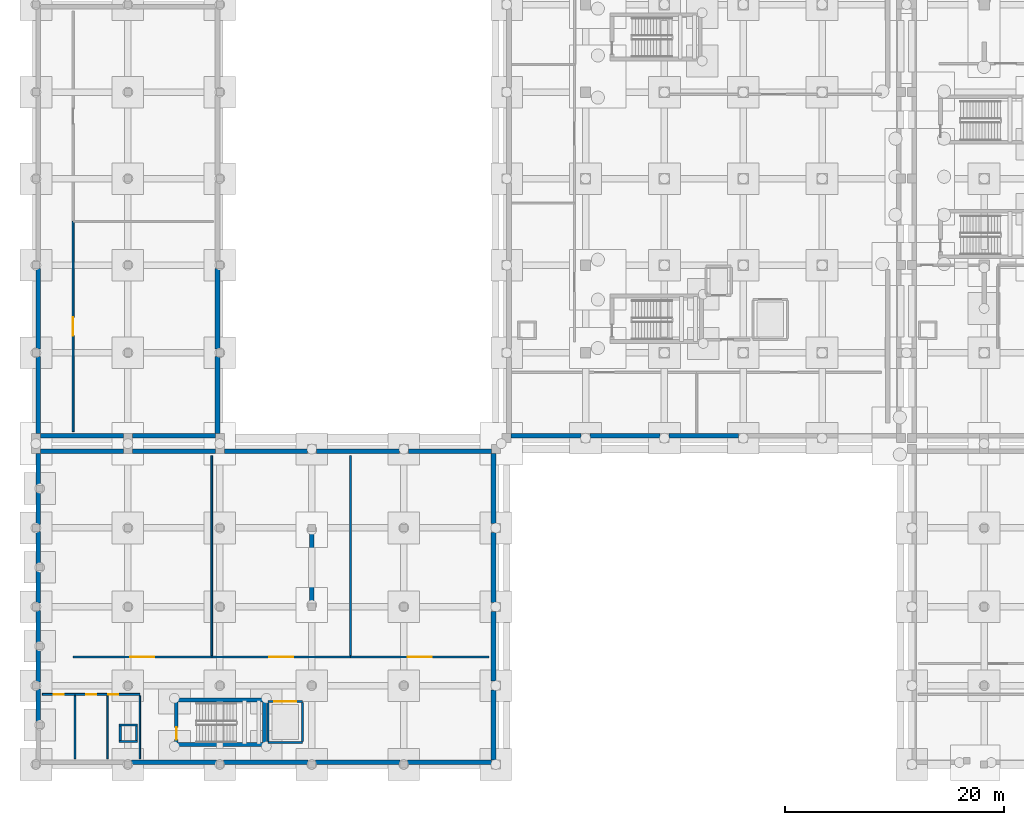
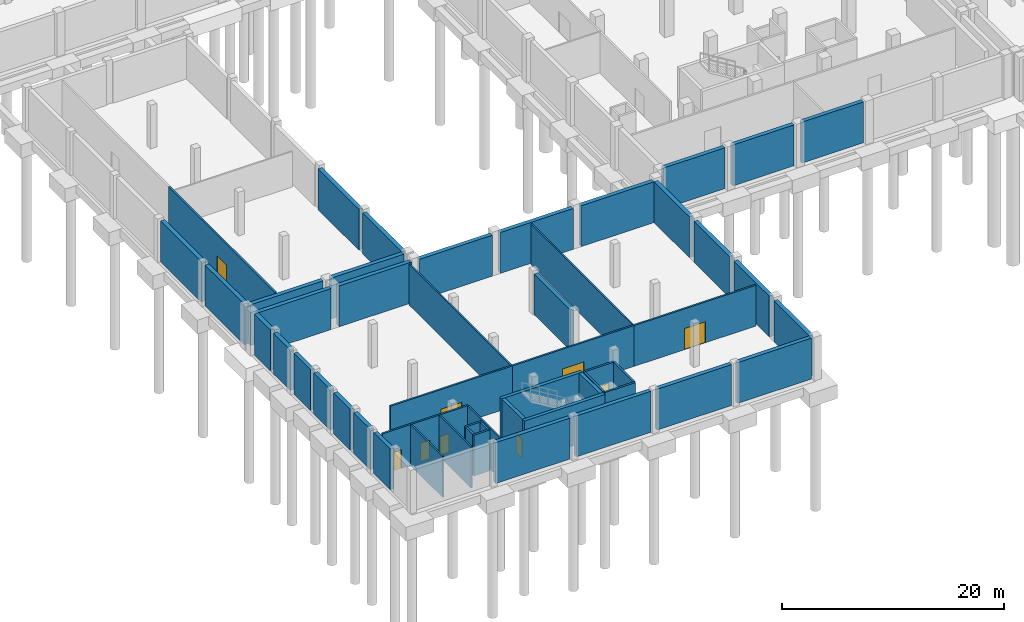
# One storey, part 14 of 29: 54 walls, 9 doors, 9 openings.
"""IFC4 building model written with IfcOpenShell, lengths in metres."""

import ifcopenshell
import ifcopenshell.guid

model = None  # the IFC model being written
_history = None  # IfcOwnerHistory: only IFC2X3 demands one
_inside = {}  # id of a spatial element -> (the spatial element, [elements in it])
_under = {}  # id of a project, library or spatial element -> (it, [spatial elements below it])
_declared = {}  # id of a project -> (the project, [libraries it declares])
_typed = {}  # id of a type object -> (the type object, [elements of that type])
_made_of = {}  # id of a material, layer set ... -> (it, [elements and type objects made of it])


def new_model(schema):
    """Start an empty IFC model of exactly this schema.

    Asked for "IFC4X3", IfcOpenShell would pick the latest addendum, in which some entities
    have other attributes; the version numbers below select the first issue.
    IFC2X3 requires an IfcOwnerHistory on every rooted entity: one is made here for all.
    """
    global model, _history
    if schema == "IFC4X3":
        model = ifcopenshell.file(schema_version=(4, 3, 0, 0))
    else:
        model = ifcopenshell.file(schema=schema)
    _inside.clear()
    _under.clear()
    _declared.clear()
    _typed.clear()
    _made_of.clear()
    _history = None
    if model.schema == "IFC2X3":
        org = make("IfcOrganization", Name="unknown")
        user = make(
            "IfcPersonAndOrganization",
            ThePerson=make("IfcPerson", FamilyName="unknown"),
            TheOrganization=org,
        )
        app = make(
            "IfcApplication",
            ApplicationDeveloper=org,
            Version="unknown",
            ApplicationFullName="unknown",
            ApplicationIdentifier="unknown",
        )
        _history = make(
            "IfcOwnerHistory",
            OwningUser=user,
            OwningApplication=app,
            ChangeAction="ADDED",
            CreationDate=0,
        )
    return model


def make(cls, **values):
    """One entity of the class cls with the attributes given. An attribute that is None is left unset."""
    return model.create_entity(
        cls, **{name: value for name, value in values.items() if value is not None}
    )


def rooted(cls, **values):
    """An entity with a GlobalId (a new one), such as an element, a storey or a relation."""
    return make(cls, GlobalId=ifcopenshell.guid.new(), OwnerHistory=_history, **values)


def si_unit(unit_type, name, prefix=None):
    """IfcSIUnit, for example si_unit("LENGTHUNIT", "METRE", prefix="MILLI")."""
    return make("IfcSIUnit", UnitType=unit_type, Prefix=prefix, Name=name)


def assignment(units):
    """IfcUnitAssignment: the units of a project."""
    return None if units is None else make("IfcUnitAssignment", Units=units)


def point(xyz):
    """IfcCartesianPoint."""
    return None if xyz is None else make("IfcCartesianPoint", Coordinates=xyz)


def direction(xyz):
    """IfcDirection."""
    return None if xyz is None else make("IfcDirection", DirectionRatios=xyz)


def frame(location, z_axis=None, x_axis=None):
    """IfcAxis2Placement3D, a coordinate frame: its origin and axes. An axis left out is left unset."""
    return make(
        "IfcAxis2Placement3D",
        Location=point(location),
        Axis=direction(z_axis),
        RefDirection=direction(x_axis),
    )


def frame_2d(location, x_axis=None):
    """IfcAxis2Placement2D, a coordinate frame in the plane: its origin and x axis."""
    return make(
        "IfcAxis2Placement2D", Location=point(location), RefDirection=direction(x_axis)
    )


def origin():
    """The frame at (0, 0, 0) with its axes left unset."""
    return frame((0.0, 0.0, 0.0))


def place(relative_to, where):
    """IfcLocalPlacement: puts the frame where relative to a parent placement (None: the world)."""
    return make(
        "IfcLocalPlacement", PlacementRelTo=relative_to, RelativePlacement=where
    )


def context(
    kind, dimensions, precision=None, world=None, true_north=None, identifier=None
):
    """IfcGeometricRepresentationContext, for example the 3D "Model" context."""
    return make(
        "IfcGeometricRepresentationContext",
        ContextIdentifier=identifier,
        ContextType=kind,
        CoordinateSpaceDimension=dimensions,
        Precision=precision,
        WorldCoordinateSystem=world,
        TrueNorth=true_north,
    )


def subcontext(parent, identifier, kind, view, scale=None):
    """IfcGeometricRepresentationSubContext, for example "Body" below "Model"."""
    return make(
        "IfcGeometricRepresentationSubContext",
        ContextIdentifier=identifier,
        ContextType=kind,
        ParentContext=parent,
        TargetScale=scale,
        TargetView=view,
    )


def project(units=None, contexts=None):
    """IfcProject with its units and contexts."""
    return rooted(
        "IfcProject",
        Name="project",
        RepresentationContexts=contexts,
        UnitsInContext=assignment(units),
    )


def spatial(cls, under=None, at=None, **own):
    """A site, building, storey or space (cls), placed at a placement, below another one or the project."""
    s = rooted(cls, ObjectPlacement=at, **own)
    if under is not None:
        _under.setdefault(under.id(), (under, []))[1].append(s)
    return s


def profile(cls, at=None, kind="AREA", **sizes):
    """A parametric profile (cls). Its sizes go by their IFC names, for example OverallWidth=200.0."""
    return make(cls, ProfileType=kind, Position=at, **sizes)


def rectangle(**sizes):
    """IfcRectangleProfileDef."""
    return profile("IfcRectangleProfileDef", **sizes)


def extrude(swept, where, along, depth):
    """IfcExtrudedAreaSolid: the profile swept, set in the frame where, extruded along a direction by depth."""
    return make(
        "IfcExtrudedAreaSolid",
        SweptArea=swept,
        Position=where,
        ExtrudedDirection=direction(along),
        Depth=depth,
    )


def shape(context_of_items, identifier, shape_type, items):
    """IfcShapeRepresentation: the items that make up one representation, for example the "Body"."""
    return make(
        "IfcShapeRepresentation",
        ContextOfItems=context_of_items,
        RepresentationIdentifier=identifier,
        RepresentationType=shape_type,
        Items=items,
    )


def material(Name=None, Category=None):
    """IfcMaterial."""
    return make("IfcMaterial", Name=Name, Category=Category)


def layer(
    of_material, thickness, ventilated=None, Name=None, Category=None, Priority=None
):
    """IfcMaterialLayer: one layer of a wall or slab, of a material (None: an air gap)."""
    return make(
        "IfcMaterialLayer",
        Material=of_material,
        LayerThickness=thickness,
        IsVentilated=ventilated,
        Name=Name,
        Category=Category,
        Priority=Priority,
    )


def layer_set(layers, Name=None):
    """IfcMaterialLayerSet."""
    return make("IfcMaterialLayerSet", MaterialLayers=layers, LayerSetName=Name)


def made_of(thing, what):
    """Note that an element or type object is made of a material, layer set ...; save() writes the relation."""
    if what is not None:
        _made_of.setdefault(what.id(), (what, []))[1].append(thing)
    return thing


def type_object(cls, material=None, **own):
    """A type object (cls), such as IfcWallType, which elements share."""
    return made_of(rooted(cls, **own), material)


def element(
    cls,
    number,
    at=None,
    inside=None,
    cuts=None,
    type_object=None,
    material=None,
    context=None,
    identifier="Body",
    shape_type=None,
    held_by="IfcProductDefinitionShape",
    body=None,
    shapes=None,
    **own,
):
    """One element of the class cls, such as IfcWall. Its Tag is "e" and its number.

    at: its placement. inside: the storey or other place that contains it. cuts: it is an
    opening in that element (IfcRelVoidsElement). A single representation is given by context,
    identifier, shape_type and body (its items); several are given by shapes. held_by: the class
    of the entity that holds the representations. save() writes the other relations.
    """
    e = rooted(cls, Tag="e%d" % number, ObjectPlacement=at, **own)
    if body is not None:
        shapes = [shape(context, identifier, shape_type, body)]
    if shapes is not None:
        e.Representation = make(held_by, Representations=shapes)
    if inside is not None:
        _inside.setdefault(inside.id(), (inside, []))[1].append(e)
    if cuts is not None:
        rooted(
            "IfcRelVoidsElement", RelatingBuildingElement=cuts, RelatedOpeningElement=e
        )
    if type_object is not None:
        _typed.setdefault(type_object.id(), (type_object, []))[1].append(e)
    return made_of(e, material)


def fill(opening, filler):
    """IfcRelFillsElement: the door or window that sits in an opening."""
    return rooted(
        "IfcRelFillsElement",
        RelatingOpeningElement=opening,
        RelatedBuildingElement=filler,
    )


def aggregate(whole, parts):
    """IfcRelAggregates: a whole, such as a stair, and the parts it consists of."""
    return rooted("IfcRelAggregates", RelatingObject=whole, RelatedObjects=parts)


def save(model, path):
    """Write the relations noted so far, then the file.

    IfcRelAggregates (storeys below a building ...), IfcRelContainedInSpatialStructure (elements
    in a storey), IfcRelDefinesByType, IfcRelAssociatesMaterial and IfcRelDeclares: one each for
    every whole, place, type object, material and project.
    """
    for whole, parts in _under.values():
        aggregate(whole, parts)
    for where, things in _inside.values():
        rooted(
            "IfcRelContainedInSpatialStructure",
            RelatedElements=things,
            RelatingStructure=where,
        )
    for kind, things in _typed.values():
        rooted("IfcRelDefinesByType", RelatedObjects=things, RelatingType=kind)
    for what, things in _made_of.values():
        rooted("IfcRelAssociatesMaterial", RelatedObjects=things, RelatingMaterial=what)
    for by, libraries in _declared.values():
        rooted("IfcRelDeclares", RelatingContext=by, RelatedDefinitions=libraries)
    model.write(path)


model = new_model("IFC4")

# Units and contexts
model_context = context("Model", 3, precision=1e-05, world=origin(), true_north=direction((0.0, 1.0)))
body_context = subcontext(model_context, "Body", "Model", "MODEL_VIEW")
ifc_project = project(units=[si_unit("LENGTHUNIT", "METRE"), si_unit("AREAUNIT", "SQUARE_METRE"), si_unit("VOLUMEUNIT", "CUBIC_METRE"), si_unit("PLANEANGLEUNIT", "RADIAN"), si_unit("MASSUNIT", "GRAM", prefix="KILO")], contexts=[model_context])

# Site, building, storey
site_placement = place(None, origin())
site = spatial("IfcSite", under=ifc_project, at=site_placement, CompositionType="ELEMENT")
building_placement = place(site_placement, origin())
building = spatial("IfcBuilding", under=site, at=building_placement, Name="Kelarvand Opera House", CompositionType="ELEMENT")
storey_placement = place(building_placement, frame((0.0, 0.0, -9.60009765625)))
storey = spatial("IfcBuildingStorey", under=building, at=storey_placement, Name="B2", CompositionType="ELEMENT", Elevation=-9.60009765625)

# Walls
ifc_material_1 = material(Name="Acoustic double-stud gypsum partition")
ifc_layer_1 = layer(ifc_material_1, 0.14990234375, Name="Acoustic double-stud gypsum partition")
ifc_layer_set_1 = layer_set([ifc_layer_1], Name="Acoustic double-stud gypsum partition")
wall_type_1 = type_object("IfcWallType", Name="Acoustic Room Partition Wall 150", PredefinedType="PARTITIONING", material=ifc_layer_set_1)
for number, where, z_axis, x_axis, name in (
    (1, (25.06689453125, 18.93994140625, 0.0), (0.0, 0.0, 1.0), (0.0, 1.0, 0.0), "V4 B2 Partition Wall IW-150 (78)"),
    (2, (37.73291015625, 18.93994140625, 0.0), (0.0, 0.0, 1.0), (0.0, 1.0, 0.0), "V4 B2 Partition Wall IW-150 (80)"),
):
    element("IfcWall", number, at=place(storey_placement, frame(where, z_axis=z_axis, x_axis=x_axis)), inside=storey, type_object=wall_type_1, Name=name, PredefinedType="PARTITIONING", context=body_context, shape_type="SweptSolid", body=[
        extrude(rectangle(XDim=18.260009765625, YDim=0.14990234375, at=frame_2d((9.1298828125, 0.0))), origin(), (0.0, 0.0, 1.0), 4.4921875),
    ])
for number, where, z_axis, x_axis, name in (
    (3, (12.56689453125, 9.5, 0.0), (0.0, 0.0, 1.0), (0.0, 1.0, 0.0), "V4 B2 Partition Wall IW-150 (83)"),
    (4, (15.532958984375, 9.5, 0.0), (0.0, 0.0, 1.0), (0.0, 1.0, 0.0), "V4 B2 Partition Wall IW-150 (85)"),
    (5, (18.5, 9.5, 0.0), (0.0, 0.0, 1.0), (0.0, 1.0, 0.0), "V4 B2 Partition Wall IW-150 (86)"),
):
    element("IfcWall", number, at=place(storey_placement, frame(where, z_axis=z_axis, x_axis=x_axis)), inside=storey, type_object=wall_type_1, Name=name, PredefinedType="PARTITIONING", context=body_context, shape_type="SweptSolid", body=[
        extrude(rectangle(XDim=5.760009765625, YDim=0.14990234375, at=frame_2d((2.8798828125, 0.0))), origin(), (0.0, 0.0, 1.0), 4.4921875),
    ])
ifc_material_2 = material(Name="Concrete C35/45", Category="concrete")
ifc_layer_2 = layer(ifc_material_2, 0.419921875, Name="Concrete C35/45", Category="concrete")
ifc_layer_set_2 = layer_set([ifc_layer_2], Name="Concrete C35/45")
wall_type_2 = type_object("IfcWallType", Name="Basement Perimeter Retaining Wall 420", PredefinedType="SHEAR", material=ifc_layer_set_2)
for number, where, z_axis, x_axis, name in (
    (6, (73.18994140625, 39.010009765625, 0.0), (0.0, 0.0, 1.0), (-1.0, 0.0, 0.0), "V2 B2 Retaining Wall 195"),
    (7, (65.989990234375, 39.010009765625, 0.0), (0.0, 0.0, 1.0), (-1.0, 0.0, 0.0), "V2 B2 Retaining Wall 196"),
):
    element("IfcWall", number, at=place(storey_placement, frame(where, z_axis=z_axis, x_axis=x_axis)), inside=storey, type_object=wall_type_2, Name=name, PredefinedType="SHEAR", context=body_context, shape_type="SweptSolid", body=[
        extrude(rectangle(XDim=6.3798828125, YDim=0.419921875, at=frame_2d((3.18994140625, 0.0))), origin(), (0.0, 0.0, 1.0), 4.5),
    ])
wall_1_placement = place(storey_placement, frame((58.7900390625, 39.010009765625, 0.0), z_axis=(0.0, 0.0, 1.0), x_axis=(-1.0, 0.0, 0.0)))
element("IfcWall", 8, at=wall_1_placement, inside=storey, type_object=wall_type_2, Name="V2 B2 Retaining Wall 197", PredefinedType="SHEAR", context=body_context, shape_type="SweptSolid", body=[
    extrude(rectangle(XDim=6.380126953125, YDim=0.419921875, at=frame_2d((3.18994140625, 0.0))), origin(), (0.0, 0.0, 1.0), 4.5),
])
for number, where, z_axis, x_axis, name in (
    (9, (9.2099609375, 12.89990234375, 0.0), (0.0, 0.0, 1.0), (0.0, 1.0, 0.0), "V4 B2 Retaining Wall 431"),
    (10, (9.2099609375, 16.52490234375, 0.0), (0.0, 0.0, 1.0), (0.0, 1.0, 0.0), "V4 B2 Retaining Wall 432"),
):
    element("IfcWall", number, at=place(storey_placement, frame(where, z_axis=z_axis, x_axis=x_axis)), inside=storey, type_object=wall_type_2, Name=name, PredefinedType="SHEAR", context=body_context, shape_type="SweptSolid", body=[
        extrude(rectangle(XDim=2.97509765625, YDim=0.419921875, at=frame_2d((1.487548828125, 0.0))), origin(), (0.0, 0.0, 1.0), 4.5),
    ])
for number, where, z_axis, x_axis, name in (
    (11, (9.2099609375, 20.10009765625, 0.0), (0.0, 0.0, 1.0), (0.0, 1.0, 0.0), "V4 B2 Retaining Wall 433"),
    (12, (9.2099609375, 23.72509765625, 0.0), (0.0, 0.0, 1.0), (0.0, 1.0, 0.0), "V4 B2 Retaining Wall 434"),
    (13, (9.2099609375, 27.300048828125, 0.0), (0.0, 0.0, 1.0), (0.0, 1.0, 0.0), "V4 B2 Retaining Wall 435"),
    (14, (9.2099609375, 30.925048828125, 0.0), (0.0, 0.0, 1.0), (0.0, 1.0, 0.0), "V4 B2 Retaining Wall 436"),
):
    element("IfcWall", number, at=place(storey_placement, frame(where, z_axis=z_axis, x_axis=x_axis)), inside=storey, type_object=wall_type_2, Name=name, PredefinedType="SHEAR", context=body_context, shape_type="SweptSolid", body=[
        extrude(rectangle(XDim=2.974853515625, YDim=0.419921875, at=frame_2d((1.4873046875, 0.0))), origin(), (0.0, 0.0, 1.0), 4.5),
    ])
wall_2_placement = place(storey_placement, frame((9.2099609375, 34.5, 0.0), z_axis=(0.0, 0.0, 1.0), x_axis=(0.0, 1.0, 0.0)))
element("IfcWall", 15, at=wall_2_placement, inside=storey, type_object=wall_type_2, Name="V4 B2 Retaining Wall 437", PredefinedType="SHEAR", context=body_context, shape_type="SweptSolid", body=[
    extrude(rectangle(XDim=2.889892578125, YDim=0.419921875, at=frame_2d((1.44482421875, 0.0))), origin(), (0.0, 0.0, 1.0), 4.5),
])
wall_3_placement = place(storey_placement, frame((9.409912109375, 37.590087890625, 0.0), z_axis=(0.0, 0.0, 1.0), x_axis=(1.0, 0.0, 0.0)))
element("IfcWall", 16, at=wall_3_placement, inside=storey, type_object=wall_type_2, Name="V4 B2 Retaining Wall 438", PredefinedType="SHEAR", context=body_context, shape_type="SweptSolid", body=[
    extrude(rectangle(XDim=7.580078125, YDim=0.419921875, at=frame_2d((3.7900390625, 0.0))), origin(), (0.0, 0.0, 1.0), 4.5),
])
wall_4_placement = place(storey_placement, frame((17.81005859375, 37.590087890625, 0.0), z_axis=(0.0, 0.0, 1.0), x_axis=(1.0, 0.0, 0.0)))
element("IfcWall", 17, at=wall_4_placement, inside=storey, type_object=wall_type_2, Name="V4 B2 Retaining Wall 439", PredefinedType="SHEAR", context=body_context, shape_type="SweptSolid", body=[
    extrude(rectangle(XDim=7.579833984375, YDim=0.419921875, at=frame_2d((3.7900390625, 0.0))), origin(), (0.0, 0.0, 1.0), 4.5),
])
wall_5_placement = place(storey_placement, frame((26.2099609375, 37.590087890625, 0.0), z_axis=(0.0, 0.0, 1.0), x_axis=(1.0, 0.0, 0.0)))
element("IfcWall", 18, at=wall_5_placement, inside=storey, type_object=wall_type_2, Name="V4 B2 Retaining Wall 440", PredefinedType="SHEAR", context=body_context, shape_type="SweptSolid", body=[
    extrude(rectangle(XDim=7.580078125, YDim=0.419921875, at=frame_2d((3.7900390625, 0.0))), origin(), (0.0, 0.0, 1.0), 4.5),
])
wall_6_placement = place(storey_placement, frame((34.610107421875, 37.590087890625, 0.0), z_axis=(0.0, 0.0, 1.0), x_axis=(1.0, 0.0, 0.0)))
element("IfcWall", 19, at=wall_6_placement, inside=storey, type_object=wall_type_2, Name="V4 B2 Retaining Wall 441", PredefinedType="SHEAR", context=body_context, shape_type="SweptSolid", body=[
    extrude(rectangle(XDim=7.579833984375, YDim=0.419921875, at=frame_2d((3.7900390625, 0.0))), origin(), (0.0, 0.0, 1.0), 4.5),
])
wall_7_placement = place(storey_placement, frame((43.010009765625, 37.590087890625, 0.0), z_axis=(0.0, 0.0, 1.0), x_axis=(1.0, 0.0, 0.0)))
element("IfcWall", 20, at=wall_7_placement, inside=storey, type_object=wall_type_2, Name="V4 B2 Retaining Wall 442", PredefinedType="SHEAR", context=body_context, shape_type="SweptSolid", body=[
    extrude(rectangle(XDim=7.580078125, YDim=0.419921875, at=frame_2d((3.7900390625, 0.0))), origin(), (0.0, 0.0, 1.0), 4.5),
])
for number, where, z_axis, x_axis, name in (
    (21, (50.7900390625, 37.389892578125, 0.0), (0.0, 0.0, 1.0), (0.0, -1.0, 0.0), "V4 B2 Retaining Wall 443"),
    (22, (50.7900390625, 30.18994140625, 0.0), (0.0, 0.0, 1.0), (0.0, -1.0, 0.0), "V4 B2 Retaining Wall 444"),
    (23, (50.7900390625, 22.989990234375, 0.0), (0.0, 0.0, 1.0), (0.0, -1.0, 0.0), "V4 B2 Retaining Wall 445"),
):
    element("IfcWall", number, at=place(storey_placement, frame(where, z_axis=z_axis, x_axis=x_axis)), inside=storey, type_object=wall_type_2, Name=name, PredefinedType="SHEAR", context=body_context, shape_type="SweptSolid", body=[
        extrude(rectangle(XDim=6.3798828125, YDim=0.419921875, at=frame_2d((3.18994140625, 0.0))), origin(), (0.0, 0.0, 1.0), 4.5),
    ])
wall_8_placement = place(storey_placement, frame((50.7900390625, 15.7900390625, 0.0), z_axis=(0.0, 0.0, 1.0), x_axis=(0.0, -1.0, 0.0)))
element("IfcWall", 24, at=wall_8_placement, inside=storey, type_object=wall_type_2, Name="V4 B2 Retaining Wall 446", PredefinedType="SHEAR", context=body_context, shape_type="SweptSolid", body=[
    extrude(rectangle(XDim=6.380126953125, YDim=0.419921875, at=frame_2d((3.18994140625, 0.0))), origin(), (0.0, 0.0, 1.0), 4.5),
])
wall_9_placement = place(storey_placement, frame((50.590087890625, 9.2099609375, 0.0), z_axis=(0.0, 0.0, 1.0), x_axis=(-1.0, 0.0, 0.0)))
element("IfcWall", 25, at=wall_9_placement, inside=storey, type_object=wall_type_2, Name="V4 B2 Retaining Wall 447", PredefinedType="SHEAR", context=body_context, shape_type="SweptSolid", body=[
    extrude(rectangle(XDim=7.6650390625, YDim=0.419921875, at=frame_2d((3.83251953125, 0.0))), origin(), (0.0, 0.0, 1.0), 4.5),
])
for number, where, z_axis, x_axis, name in (
    (26, (42.27490234375, 9.2099609375, 0.0), (0.0, 0.0, 1.0), (-1.0, 0.0, 0.0), "V4 B2 Retaining Wall 448"),
    (27, (33.875, 9.2099609375, 0.0), (0.0, 0.0, 1.0), (-1.0, 0.0, 0.0), "V4 B2 Retaining Wall 449"),
    (28, (25.47509765625, 9.2099609375, 0.0), (0.0, 0.0, 1.0), (-1.0, 0.0, 0.0), "V4 B2 Retaining Wall 450"),
):
    element("IfcWall", number, at=place(storey_placement, frame(where, z_axis=z_axis, x_axis=x_axis)), inside=storey, type_object=wall_type_2, Name=name, PredefinedType="SHEAR", context=body_context, shape_type="SweptSolid", body=[
        extrude(rectangle(XDim=7.75, YDim=0.419921875, at=frame_2d((3.875, 0.0))), origin(), (0.0, 0.0, 1.0), 4.5),
    ])
wall_10_placement = place(storey_placement, frame((9.2099609375, 39.2099609375, 0.0), z_axis=(0.0, 0.0, 1.0), x_axis=(0.0, 1.0, 0.0)))
element("IfcWall", 29, at=wall_10_placement, inside=storey, type_object=wall_type_2, Name="V4 B2 Retaining Wall 452", PredefinedType="SHEAR", context=body_context, shape_type="SweptSolid", body=[
    extrude(rectangle(XDim=7.06494140625, YDim=0.419921875, at=frame_2d((3.532470703125, 0.0))), origin(), (0.0, 0.0, 1.0), 4.5),
])
for number, where, z_axis, x_axis, name in (
    (30, (9.2099609375, 46.925048828125, 0.0), (0.0, 0.0, 1.0), (0.0, 1.0, 0.0), "V4 B2 Retaining Wall 453"),
    (31, (25.590087890625, 54.27490234375, 0.0), (0.0, 0.0, 1.0), (0.0, -1.0, 0.0), "V4 B2 Retaining Wall 462"),
):
    element("IfcWall", number, at=place(storey_placement, frame(where, z_axis=z_axis, x_axis=x_axis)), inside=storey, type_object=wall_type_2, Name=name, PredefinedType="SHEAR", context=body_context, shape_type="SweptSolid", body=[
        extrude(rectangle(XDim=7.349853515625, YDim=0.419921875, at=frame_2d((3.6748046875, 0.0))), origin(), (0.0, 0.0, 1.0), 4.5),
    ])
wall_11_placement = place(storey_placement, frame((25.590087890625, 46.27490234375, 0.0), z_axis=(0.0, 0.0, 1.0), x_axis=(0.0, -1.0, 0.0)))
element("IfcWall", 32, at=wall_11_placement, inside=storey, type_object=wall_type_2, Name="V4 B2 Retaining Wall 463", PredefinedType="SHEAR", context=body_context, shape_type="SweptSolid", body=[
    extrude(rectangle(XDim=7.06494140625, YDim=0.419921875, at=frame_2d((3.532470703125, 0.0))), origin(), (0.0, 0.0, 1.0), 4.5),
])
wall_12_placement = place(storey_placement, frame((25.389892578125, 39.010009765625, 0.0), z_axis=(0.0, 0.0, 1.0), x_axis=(-1.0, 0.0, 0.0)))
element("IfcWall", 33, at=wall_12_placement, inside=storey, type_object=wall_type_2, Name="V4 B2 Retaining Wall 464", PredefinedType="SHEAR", context=body_context, shape_type="SweptSolid", body=[
    extrude(rectangle(XDim=7.579833984375, YDim=0.419921875, at=frame_2d((3.7900390625, 0.0))), origin(), (0.0, 0.0, 1.0), 4.5),
])
wall_13_placement = place(storey_placement, frame((16.989990234375, 39.010009765625, 0.0), z_axis=(0.0, 0.0, 1.0), x_axis=(-1.0, 0.0, 0.0)))
element("IfcWall", 34, at=wall_13_placement, inside=storey, type_object=wall_type_2, Name="V4 B2 Retaining Wall 465", PredefinedType="SHEAR", context=body_context, shape_type="SweptSolid", body=[
    extrude(rectangle(XDim=7.580078125, YDim=0.419921875, at=frame_2d((3.7900390625, 0.0))), origin(), (0.0, 0.0, 1.0), 4.5),
])
ifc_material_3 = material(Name="Concrete C40/50", Category="concrete")
ifc_layer_3 = layer(ifc_material_3, 0.35009765625, Name="Concrete C40/50", Category="concrete")
ifc_layer_set_3 = layer_set([ifc_layer_3], Name="Concrete C40/50")
wall_type_3 = type_object("IfcWallType", Name="Core Stair and Lift Shear Wall 350", PredefinedType="SHEAR", material=ifc_layer_set_3)
for number, where, z_axis, x_axis, name in (
    (35, (21.64990234375, 10.824951171875, 0.0), (0.0, 0.0, 1.0), (1.0, 0.0, 0.0), "C6 Stair Core Shear Wall S B2"),
    (36, (30.050048828125, 14.875, 0.0), (0.0, 0.0, 1.0), (-1.0, 0.0, 0.0), "C6 Stair Core Shear Wall N B2"),
):
    element("IfcWall", number, at=place(storey_placement, frame(where, z_axis=z_axis, x_axis=x_axis)), inside=storey, type_object=wall_type_3, Name=name, PredefinedType="SHEAR", context=body_context, shape_type="SweptSolid", body=[
        extrude(rectangle(XDim=8.400146484375, YDim=0.35009765625, at=frame_2d((4.2001953125, 0.0))), origin(), (0.0, 0.0, 1.0), 4.5),
    ])

# Wall, opening, door
wall_14_placement = place(storey_placement, frame((21.824951171875, 11.0, 0.0), z_axis=(0.0, 0.0, 1.0), x_axis=(0.0, 1.0, 0.0)))
wall_14 = element("IfcWall", 37, at=wall_14_placement, inside=storey, type_object=wall_type_3, Name="C6 Stair Core Shear Wall W B2", PredefinedType="SHEAR", context=body_context, shape_type="SweptSolid", body=[
    extrude(rectangle(XDim=3.699951171875, YDim=0.35009765625, at=frame_2d((1.85009765625, 0.0))), origin(), (0.0, 0.0, 1.0), 4.5),
])
opening_1_placement = place(wall_14_placement, frame((0.280029296875, 0.0, 0.0)))
opening_1 = element("IfcOpeningElement", 38, at=opening_1_placement, cuts=wall_14, Name="Opening FD-01", PredefinedType="OPENING", context=body_context, shape_type="SweptSolid", body=[
    extrude(rectangle(XDim=1.10009765625, YDim=2.080078125, at=frame_2d((0.550048828125, 1.0400390625))), frame((0.0, 0.18505859375, 0.0), z_axis=(0.0, -1.0, 0.0), x_axis=(1.0, 0.0, 0.0)), (0.0, 0.0, 1.0), 0.3701171875),
])
ifc_material_4 = material(Name="Fire-rated brushed stainless steel", Category="steel")
door_type_1 = type_object("IfcDoorType", Name="Steel Fire-Rated Stair and FF Lobby Door 1100x2080", OperationType="NOTDEFINED", PredefinedType="DOOR", material=ifc_material_4)
door_1_placement = place(opening_1_placement, origin())
door_1 = element("IfcDoor", 39, at=door_1_placement, inside=storey, type_object=door_type_1, Name="C6 Stair ST-06 Fire Door B2", OperationType="SINGLE_SWING_RIGHT", OverallHeight=2.080078125, OverallWidth=1.10009765625, PredefinedType="DOOR", context=body_context, shape_type="SweptSolid", body=[
    extrude(rectangle(XDim=1.10009765625, YDim=2.080078125, at=frame_2d((0.550048828125, 1.0400390625))), frame((0.0, 0.02490234375, 0.0), z_axis=(0.0, -1.0, 0.0), x_axis=(1.0, 0.0, 0.0)), (0.0, 0.0, 1.0), 0.050048828125),
])
fill(opening_1, door_1)

# Wall
wall_15_placement = place(storey_placement, frame((29.875, 14.699951171875, 0.0), z_axis=(0.0, 0.0, 1.0), x_axis=(0.0, -1.0, 0.0)))
element("IfcWall", 40, at=wall_15_placement, inside=storey, type_object=wall_type_3, Name="C6 Stair Core Shear Wall E B2", PredefinedType="SHEAR", context=body_context, shape_type="SweptSolid", body=[
    extrude(rectangle(XDim=3.699951171875, YDim=0.35009765625, at=frame_2d((1.85009765625, 0.0))), origin(), (0.0, 0.0, 1.0), 4.5),
])

# Wall, opening, door
ifc_layer_4 = layer(ifc_material_2, 0.179931640625, Name="Concrete C35/45", Category="concrete")
ifc_layer_set_4 = layer_set([ifc_layer_4], Name="Concrete C35/45")
wall_type_4 = type_object("IfcWallType", Name="Corridor Fire-Rated Partition Wall 180 EI90", PredefinedType="PARTITIONING", material=ifc_layer_set_4)
wall_16_placement = place(storey_placement, frame((12.39990234375, 18.800048828125, 0.0), z_axis=(0.0, 0.0, 1.0), x_axis=(1.0, 0.0, 0.0)))
wall_16 = element("IfcWall", 41, at=wall_16_placement, inside=storey, type_object=wall_type_4, Name="V4 B2 Partition Wall IW-90 (77)", PredefinedType="PARTITIONING", context=body_context, shape_type="SweptSolid", body=[
    extrude(rectangle(XDim=12.6669921875, YDim=0.179931640625, at=frame_2d((6.33349609375, 0.0))), origin(), (0.0, 0.0, 1.0), 4.4921875),
])
opening_2_placement = place(wall_16_placement, frame((5.23291015625, 0.0, 0.0)))
opening_2 = element("IfcOpeningElement", 42, at=opening_2_placement, cuts=wall_16, Name="Opening D-18", PredefinedType="OPENING", context=body_context, shape_type="SweptSolid", body=[
    extrude(rectangle(XDim=2.199951171875, YDim=2.320068359375, at=frame_2d((1.10009765625, 1.16015625))), frame((0.0, 0.10009765625, 0.0), z_axis=(0.0, -1.0, 0.0), x_axis=(1.0, 0.0, 0.0)), (0.0, 0.0, 1.0), 0.199951171875),
])
ifc_material_5 = material(Name="Acoustic walnut-veneered hardwood", Category="wood")
door_type_2 = type_object("IfcDoorType", Name="Main Concourse Glazed Double Door 2200x2320", OperationType="NOTDEFINED", PredefinedType="DOOR", material=ifc_material_5)
door_2_placement = place(opening_2_placement, origin())
door_2 = element("IfcDoor", 43, at=door_2_placement, inside=storey, type_object=door_type_2, Name="V4 B2 Door D-18 (30)", OperationType="DOUBLE_DOOR_SINGLE_SWING", OverallHeight=2.320068359375, OverallWidth=2.199951171875, PredefinedType="DOOR", context=body_context, shape_type="SweptSolid", body=[
    extrude(rectangle(XDim=2.199951171875, YDim=2.320068359375, at=frame_2d((1.10009765625, 1.16015625))), frame((0.0, 0.02490234375, 0.0), z_axis=(0.0, -1.0, 0.0), x_axis=(1.0, 0.0, 0.0)), (0.0, 0.0, 1.0), 0.050048828125),
])
fill(opening_2, door_2)

wall_17_placement = place(storey_placement, frame((25.06689453125, 18.800048828125, 0.0), z_axis=(0.0, 0.0, 1.0), x_axis=(1.0, 0.0, 0.0)))
wall_17 = element("IfcWall", 44, at=wall_17_placement, inside=storey, type_object=wall_type_4, Name="V4 B2 Partition Wall IW-90 (79)", PredefinedType="PARTITIONING", context=body_context, shape_type="SweptSolid", body=[
    extrude(rectangle(XDim=12.666015625, YDim=0.179931640625, at=frame_2d((6.3330078125, 0.0))), origin(), (0.0, 0.0, 1.0), 4.4921875),
])
opening_3_placement = place(wall_17_placement, frame((5.23291015625, 0.0, 0.0)))
opening_3 = element("IfcOpeningElement", 45, at=opening_3_placement, cuts=wall_17, Name="Opening D-18", PredefinedType="OPENING", context=body_context, shape_type="SweptSolid", body=[
    extrude(rectangle(XDim=2.199951171875, YDim=2.320068359375, at=frame_2d((1.10009765625, 1.16015625))), frame((0.0, 0.10009765625, 0.0), z_axis=(0.0, -1.0, 0.0), x_axis=(1.0, 0.0, 0.0)), (0.0, 0.0, 1.0), 0.199951171875),
])
door_3_placement = place(opening_3_placement, origin())
door_3 = element("IfcDoor", 46, at=door_3_placement, inside=storey, type_object=door_type_2, Name="V4 B2 Door D-18 (31)", OperationType="DOUBLE_DOOR_SINGLE_SWING", OverallHeight=2.320068359375, OverallWidth=2.199951171875, PredefinedType="DOOR", context=body_context, shape_type="SweptSolid", body=[
    extrude(rectangle(XDim=2.199951171875, YDim=2.320068359375, at=frame_2d((1.10009765625, 1.16015625))), frame((0.0, 0.02490234375, 0.0), z_axis=(0.0, -1.0, 0.0), x_axis=(1.0, 0.0, 0.0)), (0.0, 0.0, 1.0), 0.050048828125),
])
fill(opening_3, door_3)

wall_18_placement = place(storey_placement, frame((37.73291015625, 18.800048828125, 0.0), z_axis=(0.0, 0.0, 1.0), x_axis=(1.0, 0.0, 0.0)))
wall_18 = element("IfcWall", 47, at=wall_18_placement, inside=storey, type_object=wall_type_4, Name="V4 B2 Partition Wall IW-90 (81)", PredefinedType="PARTITIONING", context=body_context, shape_type="SweptSolid", body=[
    extrude(rectangle(XDim=12.6669921875, YDim=0.179931640625, at=frame_2d((6.33349609375, 0.0))), origin(), (0.0, 0.0, 1.0), 4.4921875),
])
opening_4_placement = place(wall_18_placement, frame((5.23388671875, 0.0, 0.0)))
opening_4 = element("IfcOpeningElement", 48, at=opening_4_placement, cuts=wall_18, Name="Opening D-18", PredefinedType="OPENING", context=body_context, shape_type="SweptSolid", body=[
    extrude(rectangle(XDim=2.199951171875, YDim=2.320068359375, at=frame_2d((1.10009765625, 1.16015625))), frame((0.0, 0.10009765625, 0.0), z_axis=(0.0, -1.0, 0.0), x_axis=(1.0, 0.0, 0.0)), (0.0, 0.0, 1.0), 0.199951171875),
])
door_4_placement = place(opening_4_placement, origin())
door_4 = element("IfcDoor", 49, at=door_4_placement, inside=storey, type_object=door_type_2, Name="V4 B2 Door D-18 (32)", OperationType="DOUBLE_DOOR_SINGLE_SWING", OverallHeight=2.320068359375, OverallWidth=2.199951171875, PredefinedType="DOOR", context=body_context, shape_type="SweptSolid", body=[
    extrude(rectangle(XDim=2.199951171875, YDim=2.320068359375, at=frame_2d((1.10009765625, 1.16015625))), frame((0.0, 0.02490234375, 0.0), z_axis=(0.0, -1.0, 0.0), x_axis=(1.0, 0.0, 0.0)), (0.0, 0.0, 1.0), 0.050048828125),
])
fill(opening_4, door_4)

wall_19_placement = place(storey_placement, frame((9.60009765625, 15.39990234375, 0.0), z_axis=(0.0, 0.0, 1.0), x_axis=(1.0, 0.0, 0.0)))
wall_19 = element("IfcWall", 50, at=wall_19_placement, inside=storey, type_object=wall_type_4, Name="V4 B2 Partition Wall IW-90 (82)", PredefinedType="PARTITIONING", context=body_context, shape_type="SweptSolid", body=[
    extrude(rectangle(XDim=2.966796875, YDim=0.179931640625, at=frame_2d((1.4833984375, 0.0))), origin(), (0.0, 0.0, 1.0), 4.4921875),
])
opening_5_placement = place(wall_19_placement, frame((1.02392578125, 0.0, 0.0)))
opening_5 = element("IfcOpeningElement", 51, at=opening_5_placement, cuts=wall_19, Name="Opening D-01", PredefinedType="OPENING", context=body_context, shape_type="SweptSolid", body=[
    extrude(rectangle(XDim=0.919921875, YDim=2.050048828125, at=frame_2d((0.4599609375, 1.02490234375))), frame((0.0, 0.10009765625, 0.0), z_axis=(0.0, -1.0, 0.0), x_axis=(1.0, 0.0, 0.0)), (0.0, 0.0, 1.0), 0.199951171875),
])
door_type_3 = type_object("IfcDoorType", Name="Solid Timber Dressing and WC Door 920x2050", OperationType="NOTDEFINED", PredefinedType="DOOR", material=ifc_material_5)
door_5_placement = place(opening_5_placement, origin())
door_5 = element("IfcDoor", 52, at=door_5_placement, inside=storey, type_object=door_type_3, Name="V4 B2 Door D-01 (33)", OperationType="SINGLE_SWING_RIGHT", OverallHeight=2.050048828125, OverallWidth=0.919921875, PredefinedType="DOOR", context=body_context, shape_type="SweptSolid", body=[
    extrude(rectangle(XDim=0.919921875, YDim=2.050048828125, at=frame_2d((0.4599609375, 1.02490234375))), frame((0.0, 0.02490234375, 0.0), z_axis=(0.0, -1.0, 0.0), x_axis=(1.0, 0.0, 0.0)), (0.0, 0.0, 1.0), 0.050048828125),
])
fill(opening_5, door_5)

wall_20_placement = place(storey_placement, frame((12.56689453125, 15.39990234375, 0.0), z_axis=(0.0, 0.0, 1.0), x_axis=(1.0, 0.0, 0.0)))
wall_20 = element("IfcWall", 53, at=wall_20_placement, inside=storey, type_object=wall_type_4, Name="V4 B2 Partition Wall IW-90 (84)", PredefinedType="PARTITIONING", context=body_context, shape_type="SweptSolid", body=[
    extrude(rectangle(XDim=2.966064453125, YDim=0.179931640625, at=frame_2d((1.48291015625, 0.0))), origin(), (0.0, 0.0, 1.0), 4.4921875),
])
opening_6_placement = place(wall_20_placement, frame((1.02294921875, 0.0, 0.0)))
opening_6 = element("IfcOpeningElement", 54, at=opening_6_placement, cuts=wall_20, Name="Opening D-01", PredefinedType="OPENING", context=body_context, shape_type="SweptSolid", body=[
    extrude(rectangle(XDim=0.919921875, YDim=2.050048828125, at=frame_2d((0.4599609375, 1.02490234375))), frame((0.0, 0.10009765625, 0.0), z_axis=(0.0, -1.0, 0.0), x_axis=(1.0, 0.0, 0.0)), (0.0, 0.0, 1.0), 0.199951171875),
])
door_6_placement = place(opening_6_placement, origin())
door_6 = element("IfcDoor", 55, at=door_6_placement, inside=storey, type_object=door_type_3, Name="V4 B2 Door D-01 (34)", OperationType="SINGLE_SWING_LEFT", OverallHeight=2.050048828125, OverallWidth=0.919921875, PredefinedType="DOOR", context=body_context, shape_type="SweptSolid", body=[
    extrude(rectangle(XDim=0.919921875, YDim=2.050048828125, at=frame_2d((0.4599609375, 1.02490234375))), frame((0.0, 0.02490234375, 0.0), z_axis=(0.0, -1.0, 0.0), x_axis=(1.0, 0.0, 0.0)), (0.0, 0.0, 1.0), 0.050048828125),
])
fill(opening_6, door_6)

wall_21_placement = place(storey_placement, frame((15.532958984375, 15.39990234375, 0.0), z_axis=(0.0, 0.0, 1.0), x_axis=(1.0, 0.0, 0.0)))
wall_21 = element("IfcWall", 56, at=wall_21_placement, inside=storey, type_object=wall_type_4, Name="V4 B2 Partition Wall IW-90 (87)", PredefinedType="PARTITIONING", context=body_context, shape_type="SweptSolid", body=[
    extrude(rectangle(XDim=2.967041015625, YDim=0.179931640625, at=frame_2d((1.4833984375, 0.0))), origin(), (0.0, 0.0, 1.0), 4.4921875),
])
opening_7_placement = place(wall_21_placement, frame((0.080078125, 0.0, 0.0)))
opening_7 = element("IfcOpeningElement", 57, at=opening_7_placement, cuts=wall_21, Name="Opening D-01", PredefinedType="OPENING", context=body_context, shape_type="SweptSolid", body=[
    extrude(rectangle(XDim=0.919921875, YDim=2.050048828125, at=frame_2d((0.4599609375, 1.02490234375))), frame((0.0, 0.10009765625, 0.0), z_axis=(0.0, -1.0, 0.0), x_axis=(1.0, 0.0, 0.0)), (0.0, 0.0, 1.0), 0.199951171875),
])
door_7_placement = place(opening_7_placement, origin())
door_7 = element("IfcDoor", 58, at=door_7_placement, inside=storey, type_object=door_type_3, Name="V4 B2 Door D-01 (35)", OperationType="SINGLE_SWING_RIGHT", OverallHeight=2.050048828125, OverallWidth=0.919921875, PredefinedType="DOOR", context=body_context, shape_type="SweptSolid", body=[
    extrude(rectangle(XDim=0.919921875, YDim=2.050048828125, at=frame_2d((0.4599609375, 1.02490234375))), frame((0.0, 0.02490234375, 0.0), z_axis=(0.0, -1.0, 0.0), x_axis=(1.0, 0.0, 0.0)), (0.0, 0.0, 1.0), 0.050048828125),
])
fill(opening_7, door_7)

wall_22_placement = place(storey_placement, frame((12.39990234375, 39.39990234375, 0.0), z_axis=(0.0, 0.0, 1.0), x_axis=(0.0, 1.0, 0.0)))
wall_22 = element("IfcWall", 59, at=wall_22_placement, inside=storey, type_object=wall_type_4, Name="V4 B2 Partition Wall IW-90 (88)", PredefinedType="PARTITIONING", context=body_context, shape_type="SweptSolid", body=[
    extrude(rectangle(XDim=19.2001953125, YDim=0.179931640625, at=frame_2d((9.60009765625, 0.0))), origin(), (0.0, 0.0, 1.0), 4.4921875),
])
opening_8_placement = place(wall_22_placement, frame((8.739990234375, 0.0, 0.0)))
opening_8 = element("IfcOpeningElement", 60, at=opening_8_placement, cuts=wall_22, Name="Opening D-15", PredefinedType="OPENING", context=body_context, shape_type="SweptSolid", body=[
    extrude(rectangle(XDim=1.719970703125, YDim=2.219970703125, at=frame_2d((0.85986328125, 1.10986328125))), frame((0.0, 0.10009765625, 0.0), z_axis=(0.0, -1.0, 0.0), x_axis=(1.0, 0.0, 0.0)), (0.0, 0.0, 1.0), 0.199951171875),
])
door_type_4 = type_object("IfcDoorType", Name="Broadcast Control Double Door 1720x2220", OperationType="NOTDEFINED", PredefinedType="DOOR", material=ifc_material_5)
door_8_placement = place(opening_8_placement, origin())
door_8 = element("IfcDoor", 61, at=door_8_placement, inside=storey, type_object=door_type_4, Name="V4 B2 Door D-15 (36)", OperationType="DOUBLE_DOOR_SINGLE_SWING", OverallHeight=2.219970703125, OverallWidth=1.719970703125, PredefinedType="DOOR", context=body_context, shape_type="SweptSolid", body=[
    extrude(rectangle(XDim=1.719970703125, YDim=2.219970703125, at=frame_2d((0.85986328125, 1.10986328125))), frame((0.0, 0.02490234375, 0.0), z_axis=(0.0, -1.0, 0.0), x_axis=(1.0, 0.0, 0.0)), (0.0, 0.0, 1.0), 0.050048828125),
])
fill(opening_8, door_8)

# Walls
ifc_layer_5 = layer(ifc_material_2, 0.199951171875, Name="Concrete C35/45", Category="concrete")
ifc_layer_set_5 = layer_set([ifc_layer_5], Name="Concrete C35/45")
wall_type_5 = type_object("IfcWallType", Name="Lift and Riser Shaft Enclosure Wall 200 EI120", PredefinedType="PARTITIONING", material=ifc_layer_set_5)
for number, where, z_axis, x_axis, name in (
    (62, (16.60009765625, 11.10009765625, 0.0), (0.0, 0.0, 1.0), (1.0, 0.0, 0.0), "RSR-V4 B2 Riser Shaft Wall 97"),
    (63, (18.300048828125, 12.60009765625, 0.0), (0.0, 0.0, 1.0), (-1.0, 0.0, 0.0), "RSR-V4 B2 Riser Shaft Wall 98"),
):
    element("IfcWall", number, at=place(storey_placement, frame(where, z_axis=z_axis, x_axis=x_axis)), inside=storey, type_object=wall_type_5, Name=name, PredefinedType="PARTITIONING", context=body_context, shape_type="SweptSolid", body=[
        extrude(rectangle(XDim=1.699951171875, YDim=0.199951171875, at=frame_2d((0.85009765625, 0.0))), origin(), (0.0, 0.0, 1.0), 4.5),
    ])
for number, where, z_axis, x_axis, name in (
    (64, (16.699951171875, 11.199951171875, 0.0), (0.0, 0.0, 1.0), (0.0, 1.0, 0.0), "RSR-V4 B2 Riser Shaft Wall 99"),
    (65, (18.199951171875, 12.5, 0.0), (0.0, 0.0, 1.0), (0.0, -1.0, 0.0), "RSR-V4 B2 Riser Shaft Wall 100"),
):
    element("IfcWall", number, at=place(storey_placement, frame(where, z_axis=z_axis, x_axis=x_axis)), inside=storey, type_object=wall_type_5, Name=name, PredefinedType="PARTITIONING", context=body_context, shape_type="SweptSolid", body=[
        extrude(rectangle(XDim=1.300048828125, YDim=0.199951171875, at=frame_2d((0.64990234375, 0.0))), origin(), (0.0, 0.0, 1.0), 4.5),
    ])
wall_23_placement = place(storey_placement, frame((30.199951171875, 11.0, 0.0), z_axis=(0.0, 0.0, 1.0), x_axis=(1.0, 0.0, 0.0)))
element("IfcWall", 66, at=wall_23_placement, inside=storey, type_object=wall_type_5, Name="V4 B2 Partition Wall SW-200 (20)", PredefinedType="PARTITIONING", context=body_context, shape_type="SweptSolid", body=[
    extrude(rectangle(XDim=3.150146484375, YDim=0.199951171875, at=frame_2d((1.5751953125, 0.0))), origin(), (0.0, 0.0, 1.0), 4.4921875),
])

# Wall, opening, door
wall_24_placement = place(storey_placement, frame((33.35009765625, 14.75, 0.0), z_axis=(0.0, 0.0, 1.0), x_axis=(-1.0, 0.0, 0.0)))
wall_24 = element("IfcWall", 67, at=wall_24_placement, inside=storey, type_object=wall_type_5, Name="V4 B2 Partition Wall SW-200 (21)", PredefinedType="PARTITIONING", context=body_context, shape_type="SweptSolid", body=[
    extrude(rectangle(XDim=3.150146484375, YDim=0.199951171875, at=frame_2d((1.5751953125, 0.0))), origin(), (0.0, 0.0, 1.0), 4.4921875),
])
opening_9_placement = place(wall_24_placement, frame((0.574951171875, 0.0, 0.0)))
opening_9 = element("IfcOpeningElement", 68, at=opening_9_placement, cuts=wall_24, Name="Opening LD-03", PredefinedType="OPENING", context=body_context, shape_type="SweptSolid", body=[
    extrude(rectangle(XDim=2.0, YDim=2.35009765625, at=frame_2d((1.0, 1.175048828125))), frame((0.0, 0.10986328125, 0.0), z_axis=(0.0, -1.0, 0.0), x_axis=(1.0, 0.0, 0.0)), (0.0, 0.0, 1.0), 0.219970703125),
])
door_type_5 = type_object("IfcDoorType", Name="Scenery Goods Lift Sliding Landing Door 2000x2350", OperationType="SLIDING_TO_LEFT", PredefinedType="DOOR", material=ifc_material_4)
door_9_placement = place(opening_9_placement, origin())
door_9 = element("IfcDoor", 69, at=door_9_placement, inside=storey, type_object=door_type_5, Name="V4 B2 Door LD-03 (7)", OperationType="SLIDING_TO_LEFT", OverallHeight=2.35009765625, OverallWidth=2.0, PredefinedType="DOOR", context=body_context, shape_type="SweptSolid", body=[
    extrude(rectangle(XDim=2.0, YDim=2.35009765625, at=frame_2d((1.0, 1.175048828125))), frame((0.0, 0.02490234375, 0.0), z_axis=(0.0, -1.0, 0.0), x_axis=(1.0, 0.0, 0.0)), (0.0, 0.0, 1.0), 0.050048828125),
])
fill(opening_9, door_9)

# Walls
for number, where, z_axis, x_axis, name in (
    (70, (30.199951171875, 11.10009765625, 0.0), (0.0, 0.0, 1.0), (0.0, 1.0, 0.0), "V4 B2 Partition Wall SW-200 (22)"),
    (71, (33.35009765625, 14.64990234375, 0.0), (0.0, 0.0, 1.0), (0.0, -1.0, 0.0), "V4 B2 Partition Wall SW-200 (23)"),
):
    element("IfcWall", number, at=place(storey_placement, frame(where, z_axis=z_axis, x_axis=x_axis)), inside=storey, type_object=wall_type_5, Name=name, PredefinedType="PARTITIONING", context=body_context, shape_type="SweptSolid", body=[
        extrude(rectangle(XDim=3.5498046875, YDim=0.199951171875, at=frame_2d((1.77490234375, 0.0))), origin(), (0.0, 0.0, 1.0), 4.4921875),
    ])
ifc_layer_6 = layer(ifc_material_3, 0.39990234375, Name="Concrete C40/50", Category="concrete")
ifc_layer_set_6 = layer_set([ifc_layer_6], Name="Concrete C40/50")
wall_type_6 = type_object("IfcWallType", Name="Seismic Compartment Shear Wall 400", PredefinedType="SHEAR", material=ifc_layer_set_6)
wall_25_placement = place(storey_placement, frame((34.199951171875, 23.72509765625, 0.0), z_axis=(0.0, 0.0, 1.0), x_axis=(0.0, 1.0, 0.0)))
element("IfcWall", 72, at=wall_25_placement, inside=storey, type_object=wall_type_6, Name="V4 Shear Wall CW-120 B2", PredefinedType="SHEAR", context=body_context, shape_type="SweptSolid", body=[
    extrude(rectangle(XDim=6.5498046875, YDim=0.39990234375, at=frame_2d((3.27490234375, 0.0))), origin(), (0.0, 0.0, 1.0), 4.47998046875),
])

save(model, "model.ifc")
